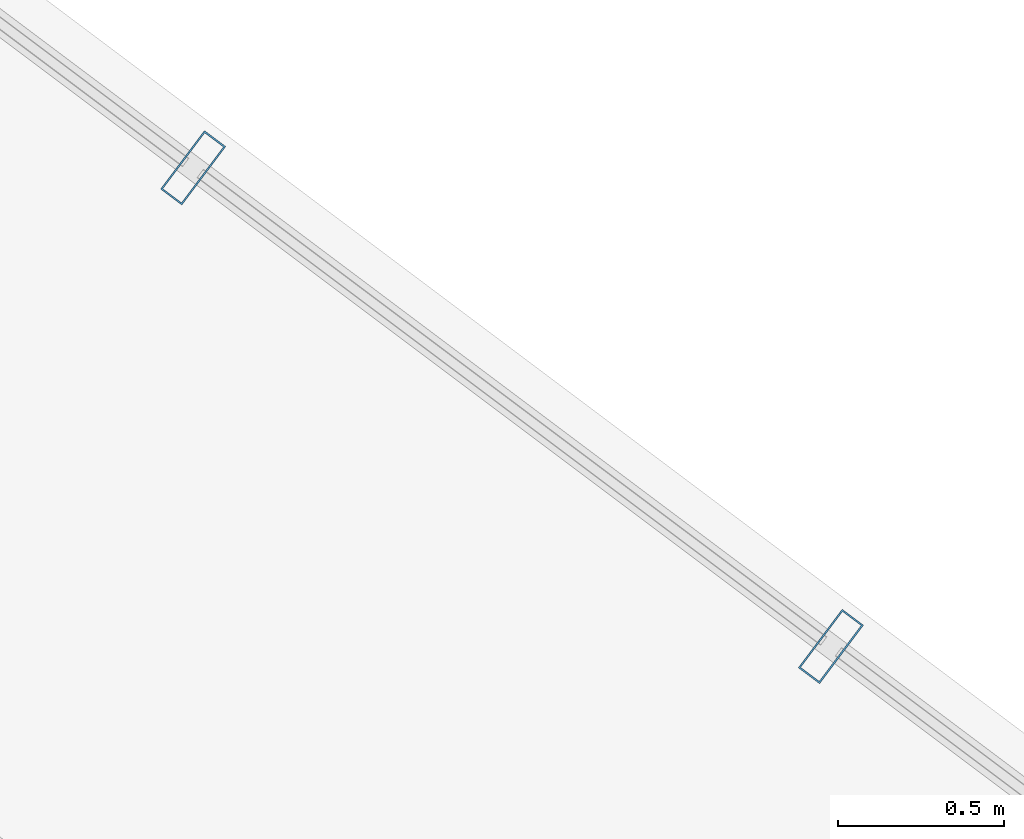
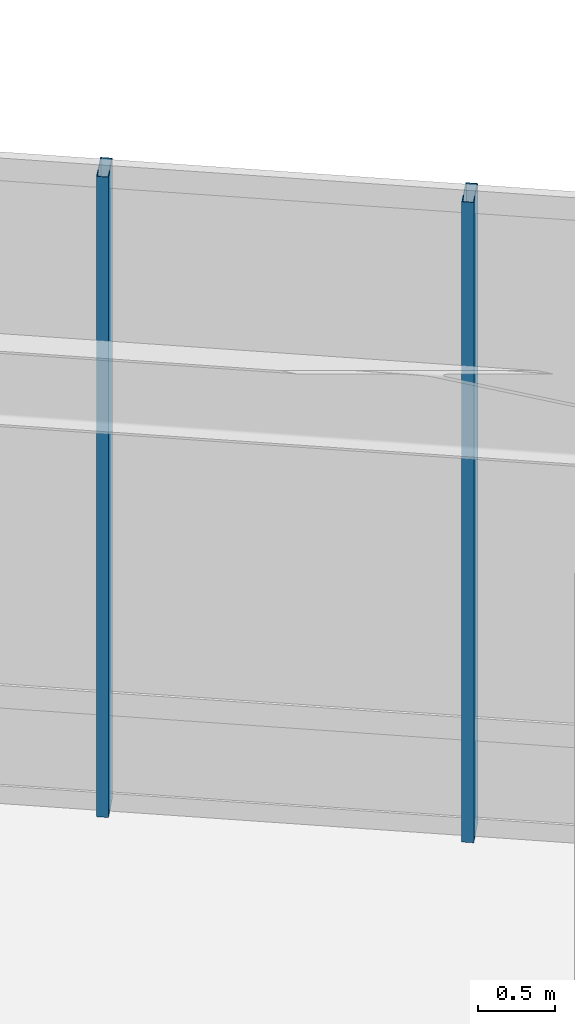
# One storey, part 9 of 35: 2 members, 1 element without a shape of its own.
"""IFC4 building model written with IfcOpenShell, lengths in metres."""

from ifc_helpers import new_model, si_unit, direction, frame, origin, origin_2d, place, context, subcontext, project, spatial, hollow_rectangle, extrude, material, layer, layer_set, material_profile, profile_set, type_object, element, aggregate, save


model = new_model("IFC4")

# Units and contexts
model_context = context("Model", 3, precision=1e-05, world=origin(), true_north=direction((0.0, 1.0)))
body_context = subcontext(model_context, "Body", "Model", "MODEL_VIEW")
ifc_project = project(units=[si_unit("LENGTHUNIT", "METRE"), si_unit("AREAUNIT", "SQUARE_METRE"), si_unit("VOLUMEUNIT", "CUBIC_METRE"), si_unit("PLANEANGLEUNIT", "RADIAN"), si_unit("MASSUNIT", "GRAM", prefix="KILO")], contexts=[model_context])

# Site, building, storey
site_placement = place(None, origin())
site = spatial("IfcSite", under=ifc_project, at=site_placement, CompositionType="ELEMENT")
building_placement = place(site_placement, origin())
building = spatial("IfcBuilding", under=site, at=building_placement, Name="Hatsunagi Terrace Concourse", CompositionType="ELEMENT")
storey_placement = place(building_placement, frame((0.0, 0.0, 10.800048828125)))
storey = spatial("IfcBuildingStorey", under=building, at=storey_placement, Name="L03", CompositionType="ELEMENT", Elevation=10.800048828125)

# Curtain wall, members
ifc_material_1 = material(Name="Anodised Aluminium Alloy 6063-T5", Category="aluminium")
ifc_layer = layer(ifc_material_1, 0.199951171875)
ifc_layer_set = layer_set([ifc_layer], Name="PodiumStorefront_CW01")
curtain_wall_type = type_object("IfcCurtainWallType", Name="PodiumStorefront_CW01", PredefinedType="NOTDEFINED", material=ifc_layer_set)
curtain_wall_placement = place(storey_placement, origin())
curtain_wall = element("IfcCurtainWall", 1, at=curtain_wall_placement, inside=storey, type_object=curtain_wall_type, Name="Unitised Curtain Wall CW-01 CW-L03-01", PredefinedType="NOTDEFINED")
ifc_material_2 = material(Name="Anodised Aluminium Alloy 6063-T5", Category="aluminium")
ifc_material_profile = material_profile(ifc_material_2, hollow_rectangle(XDim=0.080078125, YDim=0.219970703125, WallThickness=0.0048828125, at=origin_2d()), Name="ALU-MUL-220x80x5")
ifc_profile_set = profile_set([ifc_material_profile], Name="Anodised Aluminium Alloy 6063-T5")
member_type = type_object("IfcMemberType", Name="CurtainWallMullion_Heavy_220x80", PredefinedType="MULLION", material=ifc_profile_set)
member_1_placement = place(storey_placement, frame((56.385009765625, 32.0869140625, 0.0), z_axis=(0.0, 0.0, 1.0), x_axis=(0.800007305671, -0.599990258982, 0.0)))
member_1 = element("IfcMember", 2, at=member_1_placement, type_object=member_type, Name="Curtain Wall Mullion MUL-01", PredefinedType="MULLION", context=body_context, shape_type="SweptSolid", body=[
    extrude(hollow_rectangle(XDim=0.080078125, YDim=0.219970703125, WallThickness=0.0048828125, at=origin_2d()), origin(), (0.0, 0.0, 1.0), 5.099853515625),
])
member_2_placement = place(storey_placement, frame((58.304931640625, 30.64599609375, 0.0), z_axis=(0.0, 0.0, 1.0), x_axis=(0.800007305671, -0.599990258982, 0.0)))
member_2 = element("IfcMember", 3, at=member_2_placement, type_object=member_type, Name="Curtain Wall Mullion MUL-01", PredefinedType="MULLION", context=body_context, shape_type="SweptSolid", body=[
    extrude(hollow_rectangle(XDim=0.080078125, YDim=0.219970703125, WallThickness=0.0048828125, at=origin_2d()), origin(), (0.0, 0.0, 1.0), 5.099853515625),
])
aggregate(curtain_wall, [member_1, member_2])

save(model, "model.ifc")
